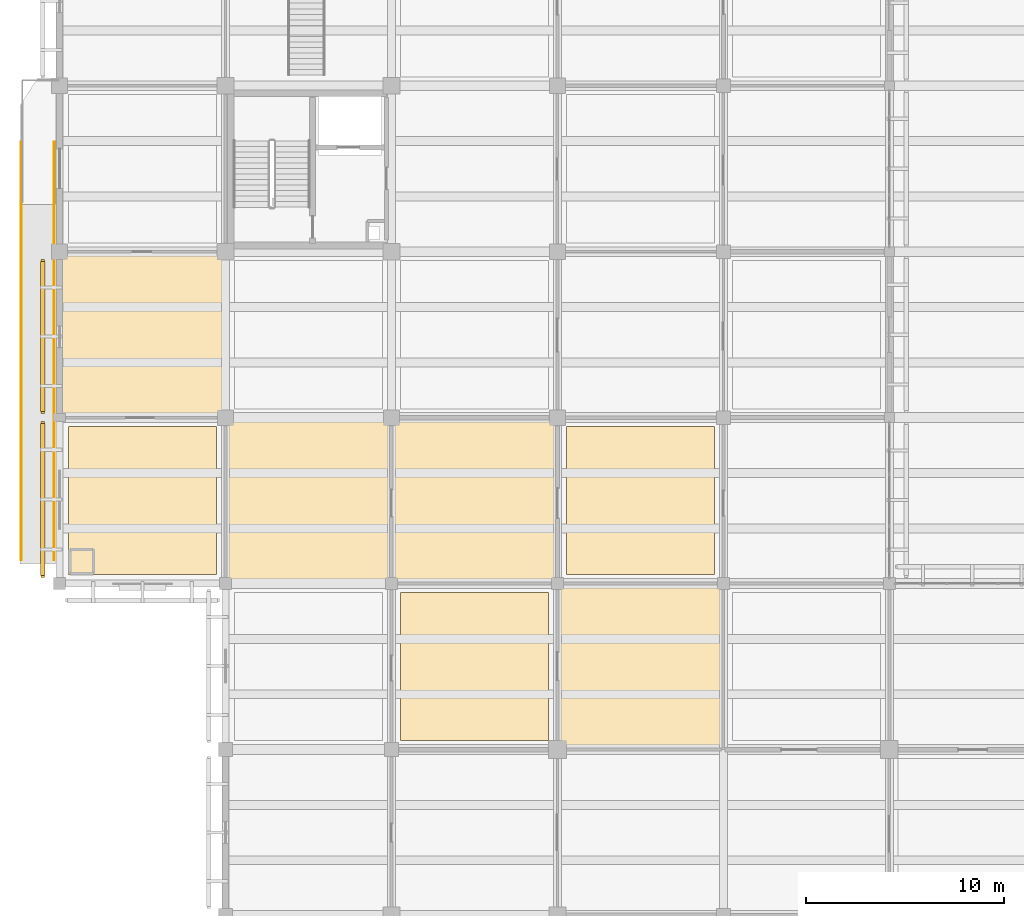
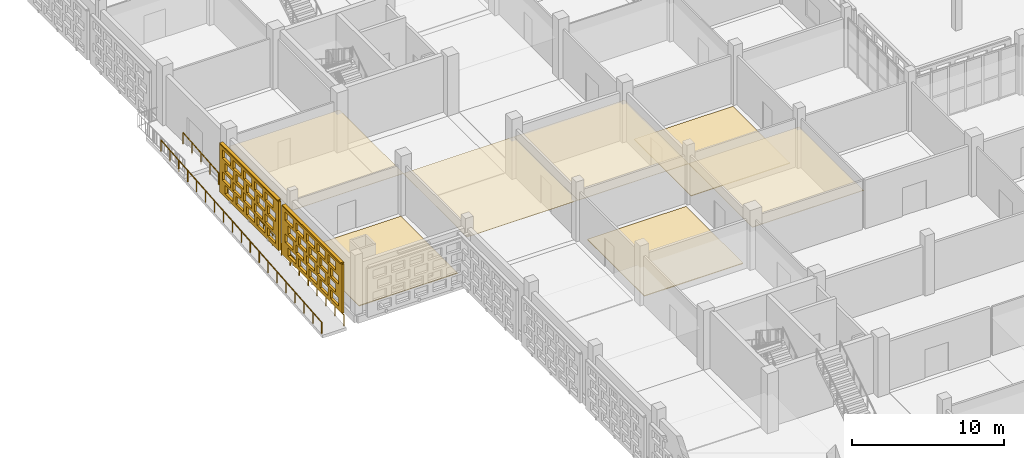
# One storey, part 86 of 129: 9 coverings, 2 railings, 2 shading devices, 40 openings.
"""IFC4 building model written with IfcOpenShell, lengths in metres."""

from ifc_helpers import new_model, si_unit, direction, frame, frame_2d, origin, origin_2d, place, context, subcontext, project, spatial, rectangle, circle, extrude, material, layer, layer_set, type_object, element, save


model = new_model("IFC4")

# Units and contexts
model_context = context("Model", 3, precision=1e-05, world=origin(), true_north=direction((0.0, 1.0)))
body_context = subcontext(model_context, "Body", "Model", "MODEL_VIEW")
ifc_project = project(units=[si_unit("LENGTHUNIT", "METRE"), si_unit("AREAUNIT", "SQUARE_METRE"), si_unit("VOLUMEUNIT", "CUBIC_METRE"), si_unit("PLANEANGLEUNIT", "RADIAN"), si_unit("MASSUNIT", "GRAM", prefix="KILO")], contexts=[model_context])

# Site, building, storey
site_placement = place(None, origin())
site = spatial("IfcSite", under=ifc_project, at=site_placement, CompositionType="ELEMENT")
building_placement = place(site_placement, origin())
building = spatial("IfcBuilding", under=site, at=building_placement, Name="Varnapada Polytechnic", CompositionType="ELEMENT")
storey_placement = place(building_placement, origin())
storey = spatial("IfcBuildingStorey", under=building, at=storey_placement, Name="L00", CompositionType="ELEMENT", Elevation=0.0)

# Coverings
ifc_material_1 = material(Name="Anti-Static Raised Laboratory Flooring")
ifc_layer_1 = layer(ifc_material_1, 0.06005859375)
ifc_layer_set_1 = layer_set([ifc_layer_1], Name="Anti-Static Raised Laboratory Flooring")
covering_type_1 = type_object("IfcCoveringType", Name="Floor Finish FLR-02", PredefinedType="FLOORING", material=ifc_layer_set_1)
for number, where, z_axis, x_axis, name in (
    (1, (4.199951171875, 46.199951171875, 0.0), (0.0, 0.0, 1.0), (1.0, 0.0, 0.0), "L00 floor finish panel (1,6)"),
    (2, (21.0, 37.800048828125, 0.0), (0.0, 0.0, 1.0), (1.0, 0.0, 0.0), "L00 floor finish panel (3,5)"),
):
    element("IfcCovering", number, at=place(storey_placement, frame(where, z_axis=z_axis, x_axis=x_axis)), inside=storey, type_object=covering_type_1, Name=name, PredefinedType="FLOORING", context=body_context, shape_type="SweptSolid", body=[
        extrude(rectangle(XDim=7.5, YDim=7.5, at=origin_2d()), origin(), (0.0, 0.0, 1.0), 0.06005859375),
    ])
ifc_material_2 = material(Name="End-Grain Timber Studio Block Flooring", Category="wood")
ifc_layer_2 = layer(ifc_material_2, 0.054931640625)
ifc_layer_set_2 = layer_set([ifc_layer_2], Name="End-Grain Timber Studio Block Flooring")
covering_type_2 = type_object("IfcCoveringType", Name="Floor Finish FLR-04", PredefinedType="FLOORING", material=ifc_layer_set_2)
covering_1_placement = place(storey_placement, frame((29.39990234375, 46.199951171875, 0.0), z_axis=(0.0, 0.0, 1.0), x_axis=(1.0, 0.0, 0.0)))
element("IfcCovering", 3, at=covering_1_placement, inside=storey, type_object=covering_type_2, Name="L00 floor finish panel (4,6)", PredefinedType="FLOORING", context=body_context, shape_type="SweptSolid", body=[
    extrude(rectangle(XDim=7.5, YDim=7.5, at=origin_2d()), origin(), (0.0, 0.0, 1.0), 0.054931640625),
])

# Railings
ifc_material_3 = material(Name="Stainless steel handrail", Category="steel")
railing_type = type_object("IfcRailingType", Name="Ramp Handrail HRL-01", PredefinedType="HANDRAIL", material=ifc_material_3)
railing_1_placement = place(storey_placement, frame((-0.260009765625, 43.199951171875, -1.800048828125)))
element("IfcRailing", 4, at=railing_1_placement, inside=storey, type_object=railing_type, Name="West studio front plinth ramp handrail L", PredefinedType="HANDRAIL", context=body_context, shape_type="SweptSolid", body=[
    extrude(circle(Radius=0.02392578125, at=origin_2d()), frame((0.0, 0.0, 0.89599609375), z_axis=(0.0, 0.996397862465, 0.084801531091), x_axis=(-1.0, 0.0, 0.0)), (0.0, 0.0, 1.0), 21.2265625),
    extrude(circle(Radius=0.02099609375, at=origin_2d()), origin(), (0.0, 0.0, 1.0), 0.871826171875),
    extrude(circle(Radius=0.02099609375, at=origin_2d()), frame((0.0, 1.175048828125, 0.10009765625)), (0.0, 0.0, 1.0), 0.871826171875),
    extrude(circle(Radius=0.02099609375, at=origin_2d()), frame((0.0, 2.35009765625, 0.199951171875)), (0.0, 0.0, 1.0), 0.871826171875),
    extrude(circle(Radius=0.02099609375, at=origin_2d()), frame((0.0, 3.52490234375, 0.300048828125)), (0.0, 0.0, 1.0), 0.871826171875),
    extrude(circle(Radius=0.02099609375, at=origin_2d()), frame((0.0, 4.699951171875, 0.39990234375)), (0.0, 0.0, 1.0), 0.871826171875),
    extrude(circle(Radius=0.02099609375, at=origin_2d()), frame((0.0, 5.875, 0.5)), (0.0, 0.0, 1.0), 0.871826171875),
    extrude(circle(Radius=0.02099609375, at=origin_2d()), frame((0.0, 7.050048828125, 0.60009765625)), (0.0, 0.0, 1.0), 0.871826171875),
    extrude(circle(Radius=0.02099609375, at=origin_2d()), frame((0.0, 8.22509765625, 0.699951171875)), (0.0, 0.0, 1.0), 0.871826171875),
    extrude(circle(Radius=0.02099609375, at=origin_2d()), frame((0.0, 9.400146484375, 0.800048828125)), (0.0, 0.0, 1.0), 0.871826171875),
    extrude(circle(Radius=0.02099609375, at=origin_2d()), frame((0.0, 10.5751953125, 0.89990234375)), (0.0, 0.0, 1.0), 0.871826171875),
    extrude(circle(Radius=0.02099609375, at=origin_2d()), frame((0.0, 11.75, 1.0)), (0.0, 0.0, 1.0), 0.871826171875),
    extrude(circle(Radius=0.02099609375, at=origin_2d()), frame((0.0, 12.925048828125, 1.10009765625)), (0.0, 0.0, 1.0), 0.871826171875),
    extrude(circle(Radius=0.02099609375, at=origin_2d()), frame((0.0, 14.10009765625, 1.199951171875)), (0.0, 0.0, 1.0), 0.871826171875),
    extrude(circle(Radius=0.02099609375, at=origin_2d()), frame((0.0, 15.275146484375, 1.300048828125)), (0.0, 0.0, 1.0), 0.871826171875),
    extrude(circle(Radius=0.02099609375, at=origin_2d()), frame((0.0, 16.4501953125, 1.400146484375)), (0.0, 0.0, 1.0), 0.871826171875),
    extrude(circle(Radius=0.02099609375, at=origin_2d()), frame((0.0, 17.625, 1.5)), (0.0, 0.0, 1.0), 0.871826171875),
    extrude(circle(Radius=0.02099609375, at=origin_2d()), frame((0.0, 18.800048828125, 1.60009765625)), (0.0, 0.0, 1.0), 0.871826171875),
    extrude(circle(Radius=0.02099609375, at=origin_2d()), frame((0.0, 19.97509765625, 1.699951171875)), (0.0, 0.0, 1.0), 0.871826171875),
    extrude(circle(Radius=0.02099609375, at=origin_2d()), frame((0.0, 21.150146484375, 1.800048828125)), (0.0, 0.0, 1.0), 0.871826171875),
])
railing_2_placement = place(storey_placement, frame((-1.93994140625, 43.199951171875, -1.800048828125)))
element("IfcRailing", 5, at=railing_2_placement, inside=storey, type_object=railing_type, Name="West studio front plinth ramp handrail R", PredefinedType="HANDRAIL", context=body_context, shape_type="SweptSolid", body=[
    extrude(circle(Radius=0.02392578125, at=origin_2d()), frame((0.0, 0.0, 0.89599609375), z_axis=(0.0, 0.996397862465, 0.084801531091), x_axis=(-1.0, 0.0, 0.0)), (0.0, 0.0, 1.0), 21.2265625),
    extrude(circle(Radius=0.02099609375, at=origin_2d()), origin(), (0.0, 0.0, 1.0), 0.871826171875),
    extrude(circle(Radius=0.02099609375, at=origin_2d()), frame((0.0, 1.175048828125, 0.10009765625)), (0.0, 0.0, 1.0), 0.871826171875),
    extrude(circle(Radius=0.02099609375, at=origin_2d()), frame((0.0, 2.35009765625, 0.199951171875)), (0.0, 0.0, 1.0), 0.871826171875),
    extrude(circle(Radius=0.02099609375, at=origin_2d()), frame((0.0, 3.52490234375, 0.300048828125)), (0.0, 0.0, 1.0), 0.871826171875),
    extrude(circle(Radius=0.02099609375, at=origin_2d()), frame((0.0, 4.699951171875, 0.39990234375)), (0.0, 0.0, 1.0), 0.871826171875),
    extrude(circle(Radius=0.02099609375, at=origin_2d()), frame((0.0, 5.875, 0.5)), (0.0, 0.0, 1.0), 0.871826171875),
    extrude(circle(Radius=0.02099609375, at=origin_2d()), frame((0.0, 7.050048828125, 0.60009765625)), (0.0, 0.0, 1.0), 0.871826171875),
    extrude(circle(Radius=0.02099609375, at=origin_2d()), frame((0.0, 8.22509765625, 0.699951171875)), (0.0, 0.0, 1.0), 0.871826171875),
    extrude(circle(Radius=0.02099609375, at=origin_2d()), frame((0.0, 9.400146484375, 0.800048828125)), (0.0, 0.0, 1.0), 0.871826171875),
    extrude(circle(Radius=0.02099609375, at=origin_2d()), frame((0.0, 10.5751953125, 0.89990234375)), (0.0, 0.0, 1.0), 0.871826171875),
    extrude(circle(Radius=0.02099609375, at=origin_2d()), frame((0.0, 11.75, 1.0)), (0.0, 0.0, 1.0), 0.871826171875),
    extrude(circle(Radius=0.02099609375, at=origin_2d()), frame((0.0, 12.925048828125, 1.10009765625)), (0.0, 0.0, 1.0), 0.871826171875),
    extrude(circle(Radius=0.02099609375, at=origin_2d()), frame((0.0, 14.10009765625, 1.199951171875)), (0.0, 0.0, 1.0), 0.871826171875),
    extrude(circle(Radius=0.02099609375, at=origin_2d()), frame((0.0, 15.275146484375, 1.300048828125)), (0.0, 0.0, 1.0), 0.871826171875),
    extrude(circle(Radius=0.02099609375, at=origin_2d()), frame((0.0, 16.4501953125, 1.400146484375)), (0.0, 0.0, 1.0), 0.871826171875),
    extrude(circle(Radius=0.02099609375, at=origin_2d()), frame((0.0, 17.625, 1.5)), (0.0, 0.0, 1.0), 0.871826171875),
    extrude(circle(Radius=0.02099609375, at=origin_2d()), frame((0.0, 18.800048828125, 1.60009765625)), (0.0, 0.0, 1.0), 0.871826171875),
    extrude(circle(Radius=0.02099609375, at=origin_2d()), frame((0.0, 19.97509765625, 1.699951171875)), (0.0, 0.0, 1.0), 0.871826171875),
    extrude(circle(Radius=0.02099609375, at=origin_2d()), frame((0.0, 21.150146484375, 1.800048828125)), (0.0, 0.0, 1.0), 0.871826171875),
])

# Coverings
ifc_material_4 = material(Name="Moisture-Resistant Aluminum Baffle Ceiling", Category="aluminium")
ifc_layer_3 = layer(ifc_material_4, 0.030029296875)
ifc_layer_set_3 = layer_set([ifc_layer_3], Name="Moisture-Resistant Aluminum Baffle Ceiling")
covering_type_3 = type_object("IfcCoveringType", Name="Suspended Ceiling CLG-03", PredefinedType="CEILING", material=ifc_layer_set_3)
for number, where, z_axis, x_axis, name in (
    (6, (4.199951171875, 54.60009765625, 3.03515625), (0.0, 0.0, 1.0), (1.0, 0.0, 0.0), "L00 suspended acoustic ceiling (1,7)"),
    (7, (12.60009765625, 46.199951171875, 3.03515625), (0.0, 0.0, 1.0), (1.0, 0.0, 0.0), "L00 suspended acoustic ceiling (2,6)"),
):
    element("IfcCovering", number, at=place(storey_placement, frame(where, z_axis=z_axis, x_axis=x_axis)), inside=storey, type_object=covering_type_3, Name=name, PredefinedType="CEILING", context=body_context, shape_type="SweptSolid", body=[
        extrude(rectangle(XDim=8.419921875, YDim=8.419921875, at=origin_2d()), origin(), (0.0, 0.0, 1.0), 0.030029296875),
    ])
ifc_material_5 = material(Name="Micro-Perforated Gypsum Acoustic Ceiling")
ifc_layer_4 = layer(ifc_material_5, 0.044921875)
ifc_layer_set_4 = layer_set([ifc_layer_4], Name="Micro-Perforated Gypsum Acoustic Ceiling")
covering_type_4 = type_object("IfcCoveringType", Name="Suspended Ceiling CLG-04", PredefinedType="CEILING", material=ifc_layer_set_4)
covering_2_placement = place(storey_placement, frame((29.39990234375, 37.800048828125, 3.027587890625), z_axis=(0.0, 0.0, 1.0), x_axis=(1.0, 0.0, 0.0)))
element("IfcCovering", 8, at=covering_2_placement, inside=storey, type_object=covering_type_4, Name="L00 suspended acoustic ceiling (4,5)", PredefinedType="CEILING", context=body_context, shape_type="SweptSolid", body=[
    extrude(rectangle(XDim=8.419921875, YDim=8.419921875, at=origin_2d()), origin(), (0.0, 0.0, 1.0), 0.044921875),
])
ifc_material_6 = material(Name="Cleanroom Laboratory Metal Pan Ceiling")
ifc_layer_5 = layer(ifc_material_6, 0.034912109375)
ifc_layer_set_5 = layer_set([ifc_layer_5], Name="Cleanroom Laboratory Metal Pan Ceiling")
covering_type_5 = type_object("IfcCoveringType", Name="Suspended Ceiling CLG-06", PredefinedType="CEILING", material=ifc_layer_set_5)
covering_3_placement = place(storey_placement, frame((21.0, 46.199951171875, 3.03271484375), z_axis=(0.0, 0.0, 1.0), x_axis=(1.0, 0.0, 0.0)))
element("IfcCovering", 9, at=covering_3_placement, inside=storey, type_object=covering_type_5, Name="L00 suspended acoustic ceiling (3,6)", PredefinedType="CEILING", context=body_context, shape_type="SweptSolid", body=[
    extrude(rectangle(XDim=8.419921875, YDim=8.419921875, at=origin_2d()), origin(), (0.0, 0.0, 1.0), 0.034912109375),
])

# Covering, openings
ifc_material_7 = material(Name="Earth-toned architectural terracotta screen block", Category="masonry")
ifc_layer_6 = layer(ifc_material_7, 0.1201171875)
ifc_layer_set_6 = layer_set([ifc_layer_6], Name="Earth-toned architectural terracotta screen block")
covering_type_6 = type_object("IfcCoveringType", Name="Terracotta Screen Cladding CLD-01", PredefinedType="CLADDING", material=ifc_layer_set_6)
covering_4_placement = place(storey_placement, frame((-0.85009765625, 42.300048828125, 0.0), z_axis=(0.0, 0.0, 1.0), x_axis=(0.0, 1.0, 0.0)))
covering_4 = element("IfcCovering", 10, at=covering_4_placement, inside=storey, type_object=covering_type_6, Name="L00 perforated terracotta block screen (2)", PredefinedType="CLADDING", context=body_context, shape_type="SweptSolid", body=[
    extrude(rectangle(XDim=7.89990234375, YDim=0.179931640625, at=frame_2d((3.949951171875, 0.0))), origin(), (0.0, 0.0, 1.0), 3.919921875),
])
opening_1_placement = place(covering_4_placement, frame((0.449951171875, 0.0, 0.313720703125)))
element("IfcOpeningElement", 11, at=opening_1_placement, cuts=covering_4, Name="Screen perforation TBS-L00-001.1", PredefinedType="OPENING", context=body_context, shape_type="SweptSolid", body=[
    extrude(rectangle(XDim=1.0400390625, YDim=0.679931640625, at=frame_2d((0.52001953125, 0.33984375))), frame((0.0, 0.099853515625, 0.0), z_axis=(0.0, -1.0, 0.0), x_axis=(1.0, 0.0, 0.0)), (0.0, 0.0, 1.0), 0.199951171875),
])
opening_2_placement = place(covering_4_placement, frame((1.85009765625, 0.0, 0.313720703125)))
element("IfcOpeningElement", 12, at=opening_2_placement, cuts=covering_4, Name="Screen perforation TBS-L00-001.2", PredefinedType="OPENING", context=body_context, shape_type="SweptSolid", body=[
    extrude(rectangle(XDim=1.0400390625, YDim=0.679931640625, at=frame_2d((0.52001953125, 0.33984375))), frame((0.0, 0.099853515625, 0.0), z_axis=(0.0, -1.0, 0.0), x_axis=(1.0, 0.0, 0.0)), (0.0, 0.0, 1.0), 0.199951171875),
])
opening_3_placement = place(covering_4_placement, frame((3.25, 0.0, 0.313720703125)))
element("IfcOpeningElement", 13, at=opening_3_placement, cuts=covering_4, Name="Screen perforation TBS-L00-001.3", PredefinedType="OPENING", context=body_context, shape_type="SweptSolid", body=[
    extrude(rectangle(XDim=1.0400390625, YDim=0.679931640625, at=frame_2d((0.52001953125, 0.33984375))), frame((0.0, 0.099853515625, 0.0), z_axis=(0.0, -1.0, 0.0), x_axis=(1.0, 0.0, 0.0)), (0.0, 0.0, 1.0), 0.199951171875),
])
opening_4_placement = place(covering_4_placement, frame((4.64990234375, 0.0, 0.313720703125)))
element("IfcOpeningElement", 14, at=opening_4_placement, cuts=covering_4, Name="Screen perforation TBS-L00-001.4", PredefinedType="OPENING", context=body_context, shape_type="SweptSolid", body=[
    extrude(rectangle(XDim=1.0400390625, YDim=0.679931640625, at=frame_2d((0.52001953125, 0.33984375))), frame((0.0, 0.099853515625, 0.0), z_axis=(0.0, -1.0, 0.0), x_axis=(1.0, 0.0, 0.0)), (0.0, 0.0, 1.0), 0.199951171875),
])
opening_5_placement = place(covering_4_placement, frame((6.050048828125, 0.0, 0.313720703125)))
element("IfcOpeningElement", 15, at=opening_5_placement, cuts=covering_4, Name="Screen perforation TBS-L00-001.5", PredefinedType="OPENING", context=body_context, shape_type="SweptSolid", body=[
    extrude(rectangle(XDim=1.0400390625, YDim=0.679931640625, at=frame_2d((0.52001953125, 0.33984375))), frame((0.0, 0.099853515625, 0.0), z_axis=(0.0, -1.0, 0.0), x_axis=(1.0, 0.0, 0.0)), (0.0, 0.0, 1.0), 0.199951171875),
])
opening_6_placement = place(covering_4_placement, frame((0.81005859375, 0.0, 1.195556640625)))
element("IfcOpeningElement", 16, at=opening_6_placement, cuts=covering_4, Name="Screen perforation TBS-L00-001.6", PredefinedType="OPENING", context=body_context, shape_type="SweptSolid", body=[
    extrude(rectangle(XDim=1.0400390625, YDim=0.679931640625, at=frame_2d((0.52001953125, 0.33984375))), frame((0.0, 0.099853515625, 0.0), z_axis=(0.0, -1.0, 0.0), x_axis=(1.0, 0.0, 0.0)), (0.0, 0.0, 1.0), 0.199951171875),
])
opening_7_placement = place(covering_4_placement, frame((2.2099609375, 0.0, 1.195556640625)))
element("IfcOpeningElement", 17, at=opening_7_placement, cuts=covering_4, Name="Screen perforation TBS-L00-001.7", PredefinedType="OPENING", context=body_context, shape_type="SweptSolid", body=[
    extrude(rectangle(XDim=1.0400390625, YDim=0.679931640625, at=frame_2d((0.52001953125, 0.33984375))), frame((0.0, 0.099853515625, 0.0), z_axis=(0.0, -1.0, 0.0), x_axis=(1.0, 0.0, 0.0)), (0.0, 0.0, 1.0), 0.199951171875),
])
opening_8_placement = place(covering_4_placement, frame((3.610107421875, 0.0, 1.195556640625)))
element("IfcOpeningElement", 18, at=opening_8_placement, cuts=covering_4, Name="Screen perforation TBS-L00-001.8", PredefinedType="OPENING", context=body_context, shape_type="SweptSolid", body=[
    extrude(rectangle(XDim=1.0400390625, YDim=0.679931640625, at=frame_2d((0.52001953125, 0.33984375))), frame((0.0, 0.099853515625, 0.0), z_axis=(0.0, -1.0, 0.0), x_axis=(1.0, 0.0, 0.0)), (0.0, 0.0, 1.0), 0.199951171875),
])
opening_9_placement = place(covering_4_placement, frame((5.010009765625, 0.0, 1.195556640625)))
element("IfcOpeningElement", 19, at=opening_9_placement, cuts=covering_4, Name="Screen perforation TBS-L00-001.9", PredefinedType="OPENING", context=body_context, shape_type="SweptSolid", body=[
    extrude(rectangle(XDim=1.0400390625, YDim=0.679931640625, at=frame_2d((0.52001953125, 0.33984375))), frame((0.0, 0.099853515625, 0.0), z_axis=(0.0, -1.0, 0.0), x_axis=(1.0, 0.0, 0.0)), (0.0, 0.0, 1.0), 0.199951171875),
])
opening_10_placement = place(covering_4_placement, frame((6.409912109375, 0.0, 1.195556640625)))
element("IfcOpeningElement", 20, at=opening_10_placement, cuts=covering_4, Name="Screen perforation TBS-L00-001.10", PredefinedType="OPENING", context=body_context, shape_type="SweptSolid", body=[
    extrude(rectangle(XDim=1.0400390625, YDim=0.679931640625, at=frame_2d((0.52001953125, 0.33984375))), frame((0.0, 0.099853515625, 0.0), z_axis=(0.0, -1.0, 0.0), x_axis=(1.0, 0.0, 0.0)), (0.0, 0.0, 1.0), 0.199951171875),
])
opening_11_placement = place(covering_4_placement, frame((0.449951171875, 0.0, 2.07763671875)))
element("IfcOpeningElement", 21, at=opening_11_placement, cuts=covering_4, Name="Screen perforation TBS-L00-001.11", PredefinedType="OPENING", context=body_context, shape_type="SweptSolid", body=[
    extrude(rectangle(XDim=1.0400390625, YDim=0.679931640625, at=frame_2d((0.52001953125, 0.33984375))), frame((0.0, 0.099853515625, 0.0), z_axis=(0.0, -1.0, 0.0), x_axis=(1.0, 0.0, 0.0)), (0.0, 0.0, 1.0), 0.199951171875),
])
opening_12_placement = place(covering_4_placement, frame((1.85009765625, 0.0, 2.07763671875)))
element("IfcOpeningElement", 22, at=opening_12_placement, cuts=covering_4, Name="Screen perforation TBS-L00-001.12", PredefinedType="OPENING", context=body_context, shape_type="SweptSolid", body=[
    extrude(rectangle(XDim=1.0400390625, YDim=0.679931640625, at=frame_2d((0.52001953125, 0.33984375))), frame((0.0, 0.099853515625, 0.0), z_axis=(0.0, -1.0, 0.0), x_axis=(1.0, 0.0, 0.0)), (0.0, 0.0, 1.0), 0.199951171875),
])
opening_13_placement = place(covering_4_placement, frame((3.25, 0.0, 2.07763671875)))
element("IfcOpeningElement", 23, at=opening_13_placement, cuts=covering_4, Name="Screen perforation TBS-L00-001.13", PredefinedType="OPENING", context=body_context, shape_type="SweptSolid", body=[
    extrude(rectangle(XDim=1.0400390625, YDim=0.679931640625, at=frame_2d((0.52001953125, 0.33984375))), frame((0.0, 0.099853515625, 0.0), z_axis=(0.0, -1.0, 0.0), x_axis=(1.0, 0.0, 0.0)), (0.0, 0.0, 1.0), 0.199951171875),
])
opening_14_placement = place(covering_4_placement, frame((4.64990234375, 0.0, 2.07763671875)))
element("IfcOpeningElement", 24, at=opening_14_placement, cuts=covering_4, Name="Screen perforation TBS-L00-001.14", PredefinedType="OPENING", context=body_context, shape_type="SweptSolid", body=[
    extrude(rectangle(XDim=1.0400390625, YDim=0.679931640625, at=frame_2d((0.52001953125, 0.33984375))), frame((0.0, 0.099853515625, 0.0), z_axis=(0.0, -1.0, 0.0), x_axis=(1.0, 0.0, 0.0)), (0.0, 0.0, 1.0), 0.199951171875),
])
opening_15_placement = place(covering_4_placement, frame((6.050048828125, 0.0, 2.07763671875)))
element("IfcOpeningElement", 25, at=opening_15_placement, cuts=covering_4, Name="Screen perforation TBS-L00-001.15", PredefinedType="OPENING", context=body_context, shape_type="SweptSolid", body=[
    extrude(rectangle(XDim=1.0400390625, YDim=0.679931640625, at=frame_2d((0.52001953125, 0.33984375))), frame((0.0, 0.099853515625, 0.0), z_axis=(0.0, -1.0, 0.0), x_axis=(1.0, 0.0, 0.0)), (0.0, 0.0, 1.0), 0.199951171875),
])
opening_16_placement = place(covering_4_placement, frame((0.81005859375, 0.0, 2.959716796875)))
element("IfcOpeningElement", 26, at=opening_16_placement, cuts=covering_4, Name="Screen perforation TBS-L00-001.16", PredefinedType="OPENING", context=body_context, shape_type="SweptSolid", body=[
    extrude(rectangle(XDim=1.0400390625, YDim=0.679931640625, at=frame_2d((0.52001953125, 0.33984375))), frame((0.0, 0.099853515625, 0.0), z_axis=(0.0, -1.0, 0.0), x_axis=(1.0, 0.0, 0.0)), (0.0, 0.0, 1.0), 0.199951171875),
])
opening_17_placement = place(covering_4_placement, frame((2.2099609375, 0.0, 2.959716796875)))
element("IfcOpeningElement", 27, at=opening_17_placement, cuts=covering_4, Name="Screen perforation TBS-L00-001.17", PredefinedType="OPENING", context=body_context, shape_type="SweptSolid", body=[
    extrude(rectangle(XDim=1.0400390625, YDim=0.679931640625, at=frame_2d((0.52001953125, 0.33984375))), frame((0.0, 0.099853515625, 0.0), z_axis=(0.0, -1.0, 0.0), x_axis=(1.0, 0.0, 0.0)), (0.0, 0.0, 1.0), 0.199951171875),
])
opening_18_placement = place(covering_4_placement, frame((3.610107421875, 0.0, 2.959716796875)))
element("IfcOpeningElement", 28, at=opening_18_placement, cuts=covering_4, Name="Screen perforation TBS-L00-001.18", PredefinedType="OPENING", context=body_context, shape_type="SweptSolid", body=[
    extrude(rectangle(XDim=1.0400390625, YDim=0.679931640625, at=frame_2d((0.52001953125, 0.33984375))), frame((0.0, 0.099853515625, 0.0), z_axis=(0.0, -1.0, 0.0), x_axis=(1.0, 0.0, 0.0)), (0.0, 0.0, 1.0), 0.199951171875),
])
opening_19_placement = place(covering_4_placement, frame((5.010009765625, 0.0, 2.959716796875)))
element("IfcOpeningElement", 29, at=opening_19_placement, cuts=covering_4, Name="Screen perforation TBS-L00-001.19", PredefinedType="OPENING", context=body_context, shape_type="SweptSolid", body=[
    extrude(rectangle(XDim=1.0400390625, YDim=0.679931640625, at=frame_2d((0.52001953125, 0.33984375))), frame((0.0, 0.099853515625, 0.0), z_axis=(0.0, -1.0, 0.0), x_axis=(1.0, 0.0, 0.0)), (0.0, 0.0, 1.0), 0.199951171875),
])
opening_20_placement = place(covering_4_placement, frame((6.409912109375, 0.0, 2.959716796875)))
element("IfcOpeningElement", 30, at=opening_20_placement, cuts=covering_4, Name="Screen perforation TBS-L00-001.20", PredefinedType="OPENING", context=body_context, shape_type="SweptSolid", body=[
    extrude(rectangle(XDim=1.0400390625, YDim=0.679931640625, at=frame_2d((0.52001953125, 0.33984375))), frame((0.0, 0.099853515625, 0.0), z_axis=(0.0, -1.0, 0.0), x_axis=(1.0, 0.0, 0.0)), (0.0, 0.0, 1.0), 0.199951171875),
])

covering_5_placement = place(storey_placement, frame((-0.85009765625, 50.60009765625, 0.0), z_axis=(0.0, 0.0, 1.0), x_axis=(0.0, 1.0, 0.0)))
covering_5 = element("IfcCovering", 31, at=covering_5_placement, inside=storey, type_object=covering_type_6, Name="L00 perforated terracotta block screen (3)", PredefinedType="CLADDING", context=body_context, shape_type="SweptSolid", body=[
    extrude(rectangle(XDim=7.7998046875, YDim=0.179931640625, at=frame_2d((3.89990234375, 0.0))), origin(), (0.0, 0.0, 1.0), 3.919921875),
])
opening_21_placement = place(covering_5_placement, frame((0.39990234375, 0.0, 0.313720703125)))
element("IfcOpeningElement", 32, at=opening_21_placement, cuts=covering_5, Name="Screen perforation TBS-L00-002.1", PredefinedType="OPENING", context=body_context, shape_type="SweptSolid", body=[
    extrude(rectangle(XDim=1.0400390625, YDim=0.679931640625, at=frame_2d((0.52001953125, 0.33984375))), frame((0.0, 0.099853515625, 0.0), z_axis=(0.0, -1.0, 0.0), x_axis=(1.0, 0.0, 0.0)), (0.0, 0.0, 1.0), 0.199951171875),
])
opening_22_placement = place(covering_5_placement, frame((1.800048828125, 0.0, 0.313720703125)))
element("IfcOpeningElement", 33, at=opening_22_placement, cuts=covering_5, Name="Screen perforation TBS-L00-002.2", PredefinedType="OPENING", context=body_context, shape_type="SweptSolid", body=[
    extrude(rectangle(XDim=1.0400390625, YDim=0.679931640625, at=frame_2d((0.52001953125, 0.33984375))), frame((0.0, 0.099853515625, 0.0), z_axis=(0.0, -1.0, 0.0), x_axis=(1.0, 0.0, 0.0)), (0.0, 0.0, 1.0), 0.199951171875),
])
opening_23_placement = place(covering_5_placement, frame((3.199951171875, 0.0, 0.313720703125)))
element("IfcOpeningElement", 34, at=opening_23_placement, cuts=covering_5, Name="Screen perforation TBS-L00-002.3", PredefinedType="OPENING", context=body_context, shape_type="SweptSolid", body=[
    extrude(rectangle(XDim=1.0400390625, YDim=0.679931640625, at=frame_2d((0.52001953125, 0.33984375))), frame((0.0, 0.099853515625, 0.0), z_axis=(0.0, -1.0, 0.0), x_axis=(1.0, 0.0, 0.0)), (0.0, 0.0, 1.0), 0.199951171875),
])
opening_24_placement = place(covering_5_placement, frame((4.60009765625, 0.0, 0.313720703125)))
element("IfcOpeningElement", 35, at=opening_24_placement, cuts=covering_5, Name="Screen perforation TBS-L00-002.4", PredefinedType="OPENING", context=body_context, shape_type="SweptSolid", body=[
    extrude(rectangle(XDim=1.0400390625, YDim=0.679931640625, at=frame_2d((0.52001953125, 0.33984375))), frame((0.0, 0.099853515625, 0.0), z_axis=(0.0, -1.0, 0.0), x_axis=(1.0, 0.0, 0.0)), (0.0, 0.0, 1.0), 0.199951171875),
])
opening_25_placement = place(covering_5_placement, frame((6.0, 0.0, 0.313720703125)))
element("IfcOpeningElement", 36, at=opening_25_placement, cuts=covering_5, Name="Screen perforation TBS-L00-002.5", PredefinedType="OPENING", context=body_context, shape_type="SweptSolid", body=[
    extrude(rectangle(XDim=1.0400390625, YDim=0.679931640625, at=frame_2d((0.52001953125, 0.33984375))), frame((0.0, 0.099853515625, 0.0), z_axis=(0.0, -1.0, 0.0), x_axis=(1.0, 0.0, 0.0)), (0.0, 0.0, 1.0), 0.199951171875),
])
opening_26_placement = place(covering_5_placement, frame((0.760009765625, 0.0, 1.195556640625)))
element("IfcOpeningElement", 37, at=opening_26_placement, cuts=covering_5, Name="Screen perforation TBS-L00-002.6", PredefinedType="OPENING", context=body_context, shape_type="SweptSolid", body=[
    extrude(rectangle(XDim=1.0400390625, YDim=0.679931640625, at=frame_2d((0.52001953125, 0.33984375))), frame((0.0, 0.099853515625, 0.0), z_axis=(0.0, -1.0, 0.0), x_axis=(1.0, 0.0, 0.0)), (0.0, 0.0, 1.0), 0.199951171875),
])
opening_27_placement = place(covering_5_placement, frame((2.159912109375, 0.0, 1.195556640625)))
element("IfcOpeningElement", 38, at=opening_27_placement, cuts=covering_5, Name="Screen perforation TBS-L00-002.7", PredefinedType="OPENING", context=body_context, shape_type="SweptSolid", body=[
    extrude(rectangle(XDim=1.0400390625, YDim=0.679931640625, at=frame_2d((0.52001953125, 0.33984375))), frame((0.0, 0.099853515625, 0.0), z_axis=(0.0, -1.0, 0.0), x_axis=(1.0, 0.0, 0.0)), (0.0, 0.0, 1.0), 0.199951171875),
])
opening_28_placement = place(covering_5_placement, frame((3.56005859375, 0.0, 1.195556640625)))
element("IfcOpeningElement", 39, at=opening_28_placement, cuts=covering_5, Name="Screen perforation TBS-L00-002.8", PredefinedType="OPENING", context=body_context, shape_type="SweptSolid", body=[
    extrude(rectangle(XDim=1.0400390625, YDim=0.679931640625, at=frame_2d((0.52001953125, 0.33984375))), frame((0.0, 0.099853515625, 0.0), z_axis=(0.0, -1.0, 0.0), x_axis=(1.0, 0.0, 0.0)), (0.0, 0.0, 1.0), 0.199951171875),
])
opening_29_placement = place(covering_5_placement, frame((4.9599609375, 0.0, 1.195556640625)))
element("IfcOpeningElement", 40, at=opening_29_placement, cuts=covering_5, Name="Screen perforation TBS-L00-002.9", PredefinedType="OPENING", context=body_context, shape_type="SweptSolid", body=[
    extrude(rectangle(XDim=1.0400390625, YDim=0.679931640625, at=frame_2d((0.52001953125, 0.33984375))), frame((0.0, 0.099853515625, 0.0), z_axis=(0.0, -1.0, 0.0), x_axis=(1.0, 0.0, 0.0)), (0.0, 0.0, 1.0), 0.199951171875),
])
opening_30_placement = place(covering_5_placement, frame((6.360107421875, 0.0, 1.195556640625)))
element("IfcOpeningElement", 41, at=opening_30_placement, cuts=covering_5, Name="Screen perforation TBS-L00-002.10", PredefinedType="OPENING", context=body_context, shape_type="SweptSolid", body=[
    extrude(rectangle(XDim=1.0400390625, YDim=0.679931640625, at=frame_2d((0.52001953125, 0.33984375))), frame((0.0, 0.099853515625, 0.0), z_axis=(0.0, -1.0, 0.0), x_axis=(1.0, 0.0, 0.0)), (0.0, 0.0, 1.0), 0.199951171875),
])
opening_31_placement = place(covering_5_placement, frame((0.39990234375, 0.0, 2.07763671875)))
element("IfcOpeningElement", 42, at=opening_31_placement, cuts=covering_5, Name="Screen perforation TBS-L00-002.11", PredefinedType="OPENING", context=body_context, shape_type="SweptSolid", body=[
    extrude(rectangle(XDim=1.0400390625, YDim=0.679931640625, at=frame_2d((0.52001953125, 0.33984375))), frame((0.0, 0.099853515625, 0.0), z_axis=(0.0, -1.0, 0.0), x_axis=(1.0, 0.0, 0.0)), (0.0, 0.0, 1.0), 0.199951171875),
])
opening_32_placement = place(covering_5_placement, frame((1.800048828125, 0.0, 2.07763671875)))
element("IfcOpeningElement", 43, at=opening_32_placement, cuts=covering_5, Name="Screen perforation TBS-L00-002.12", PredefinedType="OPENING", context=body_context, shape_type="SweptSolid", body=[
    extrude(rectangle(XDim=1.0400390625, YDim=0.679931640625, at=frame_2d((0.52001953125, 0.33984375))), frame((0.0, 0.099853515625, 0.0), z_axis=(0.0, -1.0, 0.0), x_axis=(1.0, 0.0, 0.0)), (0.0, 0.0, 1.0), 0.199951171875),
])
opening_33_placement = place(covering_5_placement, frame((3.199951171875, 0.0, 2.07763671875)))
element("IfcOpeningElement", 44, at=opening_33_placement, cuts=covering_5, Name="Screen perforation TBS-L00-002.13", PredefinedType="OPENING", context=body_context, shape_type="SweptSolid", body=[
    extrude(rectangle(XDim=1.0400390625, YDim=0.679931640625, at=frame_2d((0.52001953125, 0.33984375))), frame((0.0, 0.099853515625, 0.0), z_axis=(0.0, -1.0, 0.0), x_axis=(1.0, 0.0, 0.0)), (0.0, 0.0, 1.0), 0.199951171875),
])
opening_34_placement = place(covering_5_placement, frame((4.60009765625, 0.0, 2.07763671875)))
element("IfcOpeningElement", 45, at=opening_34_placement, cuts=covering_5, Name="Screen perforation TBS-L00-002.14", PredefinedType="OPENING", context=body_context, shape_type="SweptSolid", body=[
    extrude(rectangle(XDim=1.0400390625, YDim=0.679931640625, at=frame_2d((0.52001953125, 0.33984375))), frame((0.0, 0.099853515625, 0.0), z_axis=(0.0, -1.0, 0.0), x_axis=(1.0, 0.0, 0.0)), (0.0, 0.0, 1.0), 0.199951171875),
])
opening_35_placement = place(covering_5_placement, frame((6.0, 0.0, 2.07763671875)))
element("IfcOpeningElement", 46, at=opening_35_placement, cuts=covering_5, Name="Screen perforation TBS-L00-002.15", PredefinedType="OPENING", context=body_context, shape_type="SweptSolid", body=[
    extrude(rectangle(XDim=1.0400390625, YDim=0.679931640625, at=frame_2d((0.52001953125, 0.33984375))), frame((0.0, 0.099853515625, 0.0), z_axis=(0.0, -1.0, 0.0), x_axis=(1.0, 0.0, 0.0)), (0.0, 0.0, 1.0), 0.199951171875),
])
opening_36_placement = place(covering_5_placement, frame((0.760009765625, 0.0, 2.959716796875)))
element("IfcOpeningElement", 47, at=opening_36_placement, cuts=covering_5, Name="Screen perforation TBS-L00-002.16", PredefinedType="OPENING", context=body_context, shape_type="SweptSolid", body=[
    extrude(rectangle(XDim=1.0400390625, YDim=0.679931640625, at=frame_2d((0.52001953125, 0.33984375))), frame((0.0, 0.099853515625, 0.0), z_axis=(0.0, -1.0, 0.0), x_axis=(1.0, 0.0, 0.0)), (0.0, 0.0, 1.0), 0.199951171875),
])
opening_37_placement = place(covering_5_placement, frame((2.159912109375, 0.0, 2.959716796875)))
element("IfcOpeningElement", 48, at=opening_37_placement, cuts=covering_5, Name="Screen perforation TBS-L00-002.17", PredefinedType="OPENING", context=body_context, shape_type="SweptSolid", body=[
    extrude(rectangle(XDim=1.0400390625, YDim=0.679931640625, at=frame_2d((0.52001953125, 0.33984375))), frame((0.0, 0.099853515625, 0.0), z_axis=(0.0, -1.0, 0.0), x_axis=(1.0, 0.0, 0.0)), (0.0, 0.0, 1.0), 0.199951171875),
])
opening_38_placement = place(covering_5_placement, frame((3.56005859375, 0.0, 2.959716796875)))
element("IfcOpeningElement", 49, at=opening_38_placement, cuts=covering_5, Name="Screen perforation TBS-L00-002.18", PredefinedType="OPENING", context=body_context, shape_type="SweptSolid", body=[
    extrude(rectangle(XDim=1.0400390625, YDim=0.679931640625, at=frame_2d((0.52001953125, 0.33984375))), frame((0.0, 0.099853515625, 0.0), z_axis=(0.0, -1.0, 0.0), x_axis=(1.0, 0.0, 0.0)), (0.0, 0.0, 1.0), 0.199951171875),
])
opening_39_placement = place(covering_5_placement, frame((4.9599609375, 0.0, 2.959716796875)))
element("IfcOpeningElement", 50, at=opening_39_placement, cuts=covering_5, Name="Screen perforation TBS-L00-002.19", PredefinedType="OPENING", context=body_context, shape_type="SweptSolid", body=[
    extrude(rectangle(XDim=1.0400390625, YDim=0.679931640625, at=frame_2d((0.52001953125, 0.33984375))), frame((0.0, 0.099853515625, 0.0), z_axis=(0.0, -1.0, 0.0), x_axis=(1.0, 0.0, 0.0)), (0.0, 0.0, 1.0), 0.199951171875),
])
opening_40_placement = place(covering_5_placement, frame((6.360107421875, 0.0, 2.959716796875)))
element("IfcOpeningElement", 51, at=opening_40_placement, cuts=covering_5, Name="Screen perforation TBS-L00-002.20", PredefinedType="OPENING", context=body_context, shape_type="SweptSolid", body=[
    extrude(rectangle(XDim=1.0400390625, YDim=0.679931640625, at=frame_2d((0.52001953125, 0.33984375))), frame((0.0, 0.099853515625, 0.0), z_axis=(0.0, -1.0, 0.0), x_axis=(1.0, 0.0, 0.0)), (0.0, 0.0, 1.0), 0.199951171875),
])

# Shading devices
ifc_layer_7 = layer(ifc_material_7, 0.179931640625)
ifc_layer_set_7 = layer_set([ifc_layer_7], Name="Earth-toned architectural terracotta screen block")
shading_device_type = type_object("IfcShadingDeviceType", Name="Terracotta Screen SCR-02", PredefinedType="USERDEFINED", material=ifc_layer_set_7)
shading_device_1_placement = place(storey_placement, frame((-0.85009765625, 46.25, 3.909912109375), z_axis=(0.0, 0.0, 1.0), x_axis=(0.0, 1.0, 0.0)))
element("IfcShadingDevice", 52, at=shading_device_1_placement, inside=storey, type_object=shading_device_type, Name="L00 perforated terracotta screen hood 2", ObjectType="SCREEN", PredefinedType="USERDEFINED", context=body_context, shape_type="SweptSolid", body=[
    extrude(rectangle(XDim=7.699951171875, YDim=0.239990234375, at=origin_2d()), origin(), (0.0, 0.0, 1.0), 0.10009765625),
])
shading_device_2_placement = place(storey_placement, frame((-0.85009765625, 54.5, 3.909912109375), z_axis=(0.0, 0.0, 1.0), x_axis=(0.0, 1.0, 0.0)))
element("IfcShadingDevice", 53, at=shading_device_2_placement, inside=storey, type_object=shading_device_type, Name="L00 perforated terracotta screen hood 3", ObjectType="SCREEN", PredefinedType="USERDEFINED", context=body_context, shape_type="SweptSolid", body=[
    extrude(rectangle(XDim=7.60009765625, YDim=0.239990234375, at=origin_2d()), origin(), (0.0, 0.0, 1.0), 0.10009765625),
])

save(model, "model.ifc")
